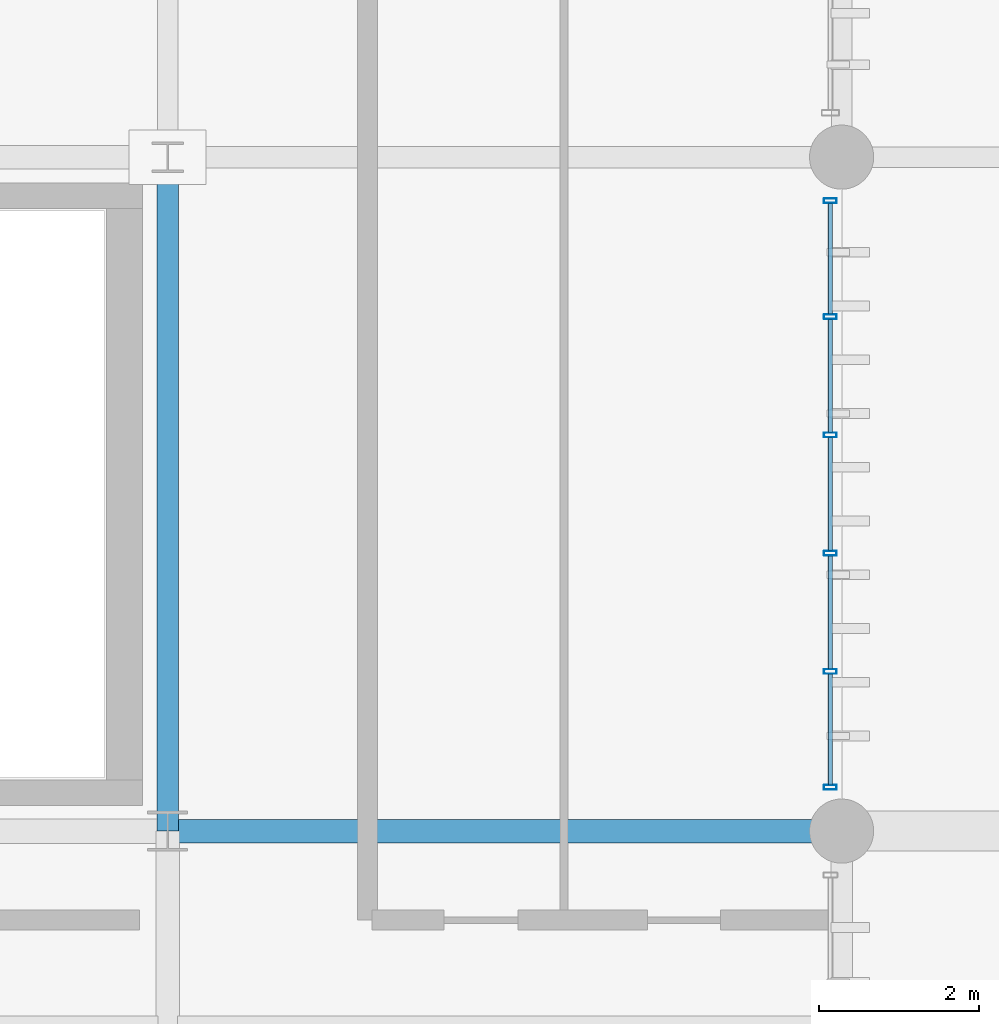
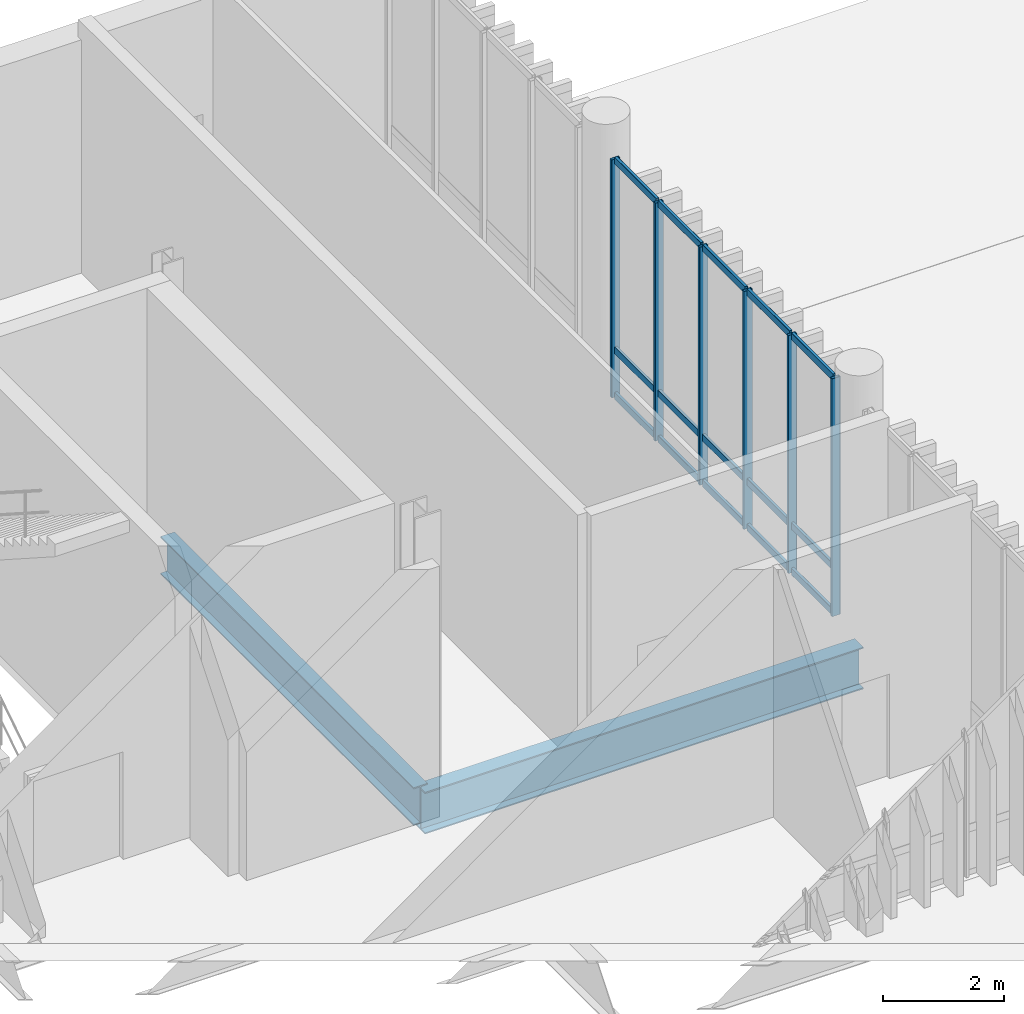
# One storey, part 49 of 112: 21 members, 2 beams, 1 element without a shape of its own.
"""IFC4 building model written with IfcOpenShell, lengths in metres."""

from ifc_helpers import new_model, si_unit, direction, frame, origin_with_axes, origin_2d_with_axis, place, context, subcontext, project, spatial, hollow_rectangle, i_section, extrude, material, material_profile, profile_set, type_object, element, aggregate, save


model = new_model("IFC4")

# Units and contexts
model_context = context("Model", 3, precision=1e-05, world=origin_with_axes(), true_north=direction((0.0, 1.0)))
body_context = subcontext(model_context, "Body", "Model", "MODEL_VIEW")
ifc_project = project(units=[si_unit("LENGTHUNIT", "METRE"), si_unit("AREAUNIT", "SQUARE_METRE"), si_unit("VOLUMEUNIT", "CUBIC_METRE"), si_unit("PLANEANGLEUNIT", "RADIAN"), si_unit("MASSUNIT", "GRAM", prefix="KILO"), si_unit("THERMODYNAMICTEMPERATUREUNIT", "KELVIN")], contexts=[model_context])

# Site, building, storey
site_placement = place(None, origin_with_axes())
site = spatial("IfcSite", under=ifc_project, at=site_placement, CompositionType="ELEMENT")
building_placement = place(site_placement, origin_with_axes())
building = spatial("IfcBuilding", under=site, at=building_placement, Name="Montbau Bow Law Courts", CompositionType="ELEMENT")
storey_placement = place(building_placement, origin_with_axes())
storey = spatial("IfcBuildingStorey", under=building, at=storey_placement, Name="L00", CompositionType="ELEMENT", Elevation=0.0)

# Beams
ifc_material_1 = material(Name="Steel CSA G40.21 Grade 350W (350 MPa)", Category="steel")
ifc_material_profile_1 = material_profile(ifc_material_1, i_section(OverallWidth=0.293, OverallDepth=0.846, WebThickness=0.0154, FlangeThickness=0.0244, at=origin_2d_with_axis()), Name="W840X210", Category="Main", Priority=0)
ifc_profile_set_1 = profile_set([ifc_material_profile_1], Name="Steel CSA G40.21 Grade 350W (350 MPa)")
beam_type_1 = type_object("IfcBeamType", Name="B-FLR-02", PredefinedType="BEAM", material=ifc_profile_set_1)
beam_1_placement = place(None, frame((88.8, 46.2, -0.713), z_axis=(1.0, 0.0, 0.0), x_axis=(0.0, 1.0, 0.0)))
element("IfcBeam", 1, at=beam_1_placement, inside=storey, type_object=beam_type_1, Name="BM-L00-S0207:bm2_0210", PredefinedType="BEAM", context=body_context, shape_type="SweptSolid", body=[
    extrude(i_section(OverallWidth=0.293, OverallDepth=0.846, WebThickness=0.0154, FlangeThickness=0.0244, at=origin_2d_with_axis()), origin_with_axes(), (0.0, 0.0, 1.0), 8.4),
])
ifc_material_profile_2 = material_profile(ifc_material_1, i_section(OverallWidth=0.267, OverallDepth=0.766, WebThickness=0.0149, FlangeThickness=0.0236, at=origin_2d_with_axis()), Name="W760X185", Category="Main", Priority=0)
ifc_profile_set_2 = profile_set([ifc_material_profile_2], Name="Steel CSA G40.21 Grade 350W (350 MPa)")
beam_type_2 = type_object("IfcBeamType", Name="B-FLR-03", PredefinedType="BEAM", material=ifc_profile_set_2)
beam_2_placement = place(None, frame((88.8, 46.2, -0.623), z_axis=(0.0, 1.0, 0.0), x_axis=(-1.0, 0.0, 0.0)))
element("IfcBeam", 2, at=beam_2_placement, inside=storey, type_object=beam_type_2, Name="BM-L00-S0305:bm2_0308", PredefinedType="BEAM", context=body_context, shape_type="SweptSolid", body=[
    extrude(i_section(OverallWidth=0.267, OverallDepth=0.766, WebThickness=0.0149, FlangeThickness=0.0236, at=origin_2d_with_axis()), origin_with_axes(), (0.0, 0.0, 1.0), 8.4),
])

# Curtain wall, members
ifc_material_2 = material(Name="Thermally Broken Extruded Aluminium AA 6063-T6", Category="aluminium")
curtain_wall_type = type_object("IfcCurtainWallType", Name="CW-CRM-01", PredefinedType="NOTDEFINED", material=ifc_material_2)
curtain_wall_placement = place(None, frame((97.06, 46.715, 0.0), z_axis=(0.0, 0.0, 1.0), x_axis=(1.0, 0.0, 0.0)))
curtain_wall = element("IfcCurtainWall", 3, at=curtain_wall_placement, inside=storey, type_object=curtain_wall_type, Name="CW-L00-137:cw_0137", PredefinedType="NOTDEFINED")
ifc_material_profile_3 = material_profile(ifc_material_2, hollow_rectangle(XDim=0.06, YDim=0.16, WallThickness=0.004, InnerFilletRadius=0.008, OuterFilletRadius=0.004, at=origin_2d_with_axis()), Name="CWM-160X60", Category="Main", Priority=0)
ifc_profile_set_3 = profile_set([ifc_material_profile_3], Name="Thermally Broken Extruded Aluminium AA 6063-T6")
member_type_1 = type_object("IfcMemberType", Name="M-MUL-03", PredefinedType="MULLION", material=ifc_profile_set_3)
member_1_placement = place(None, frame((97.06, 46.745, 0.0), z_axis=(0.0, 0.0, 1.0), x_axis=(0.0, 1.0, 0.0)))
member_1 = element("IfcMember", 4, at=member_1_placement, type_object=member_type_1, Name="CW-L00-137-M01:cw_0137_M01", PredefinedType="MULLION", context=body_context, shape_type="SweptSolid", body=[
    extrude(hollow_rectangle(XDim=0.06, YDim=0.16, WallThickness=0.004, InnerFilletRadius=0.008, OuterFilletRadius=0.004, at=origin_2d_with_axis()), origin_with_axes(), (0.0, 0.0, 1.0), 4.82),
])
member_2_placement = place(None, frame((97.06, 48.189, 0.0), z_axis=(0.0, 0.0, 1.0), x_axis=(0.0, 1.0, 0.0)))
member_2 = element("IfcMember", 5, at=member_2_placement, type_object=member_type_1, Name="CW-L00-137-M02:cw_0137_M02", PredefinedType="MULLION", context=body_context, shape_type="SweptSolid", body=[
    extrude(hollow_rectangle(XDim=0.06, YDim=0.16, WallThickness=0.004, InnerFilletRadius=0.008, OuterFilletRadius=0.004, at=origin_2d_with_axis()), origin_with_axes(), (0.0, 0.0, 1.0), 4.82),
])
member_3_placement = place(None, frame((97.06, 49.663, 0.0), z_axis=(0.0, 0.0, 1.0), x_axis=(0.0, 1.0, 0.0)))
member_3 = element("IfcMember", 6, at=member_3_placement, type_object=member_type_1, Name="CW-L00-137-M03:cw_0137_M03", PredefinedType="MULLION", context=body_context, shape_type="SweptSolid", body=[
    extrude(hollow_rectangle(XDim=0.06, YDim=0.16, WallThickness=0.004, InnerFilletRadius=0.008, OuterFilletRadius=0.004, at=origin_2d_with_axis()), origin_with_axes(), (0.0, 0.0, 1.0), 4.82),
])
member_4_placement = place(None, frame((97.06, 51.137, 0.0), z_axis=(0.0, 0.0, 1.0), x_axis=(0.0, 1.0, 0.0)))
member_4 = element("IfcMember", 7, at=member_4_placement, type_object=member_type_1, Name="CW-L00-137-M04:cw_0137_M04", PredefinedType="MULLION", context=body_context, shape_type="SweptSolid", body=[
    extrude(hollow_rectangle(XDim=0.06, YDim=0.16, WallThickness=0.004, InnerFilletRadius=0.008, OuterFilletRadius=0.004, at=origin_2d_with_axis()), origin_with_axes(), (0.0, 0.0, 1.0), 4.82),
])
member_5_placement = place(None, frame((97.06, 52.611, 0.0), z_axis=(0.0, 0.0, 1.0), x_axis=(0.0, 1.0, 0.0)))
member_5 = element("IfcMember", 8, at=member_5_placement, type_object=member_type_1, Name="CW-L00-137-M05:cw_0137_M05", PredefinedType="MULLION", context=body_context, shape_type="SweptSolid", body=[
    extrude(hollow_rectangle(XDim=0.06, YDim=0.16, WallThickness=0.004, InnerFilletRadius=0.008, OuterFilletRadius=0.004, at=origin_2d_with_axis()), origin_with_axes(), (0.0, 0.0, 1.0), 4.82),
])
member_6_placement = place(None, frame((97.06, 54.055, 0.0), z_axis=(0.0, 0.0, 1.0), x_axis=(0.0, 1.0, 0.0)))
member_6 = element("IfcMember", 9, at=member_6_placement, type_object=member_type_1, Name="CW-L00-137-M06:cw_0137_M06", PredefinedType="MULLION", context=body_context, shape_type="SweptSolid", body=[
    extrude(hollow_rectangle(XDim=0.06, YDim=0.16, WallThickness=0.004, InnerFilletRadius=0.008, OuterFilletRadius=0.004, at=origin_2d_with_axis()), origin_with_axes(), (0.0, 0.0, 1.0), 4.82),
])
ifc_material_profile_4 = material_profile(ifc_material_2, hollow_rectangle(XDim=0.055, YDim=0.14, WallThickness=0.004, InnerFilletRadius=0.008, OuterFilletRadius=0.004, at=origin_2d_with_axis()), Name="CWT-140X55", Category="Main", Priority=0)
ifc_profile_set_4 = profile_set([ifc_material_profile_4], Name="Thermally Broken Extruded Aluminium AA 6063-T6")
member_type_2 = type_object("IfcMemberType", Name="M-TRN-02", PredefinedType="USERDEFINED", material=ifc_profile_set_4)
member_7_placement = place(None, frame((97.06, 46.777, 0.028), z_axis=(0.0, 1.0, 0.0), x_axis=(-1.0, 0.0, 0.0)))
member_7 = element("IfcMember", 10, at=member_7_placement, type_object=member_type_2, Name="CW-L00-137-T01-1:cw_0137_T01_1", ObjectType="TRANSOM", PredefinedType="USERDEFINED", context=body_context, shape_type="SweptSolid", body=[
    extrude(hollow_rectangle(XDim=0.055, YDim=0.14, WallThickness=0.004, InnerFilletRadius=0.008, OuterFilletRadius=0.004, at=origin_2d_with_axis()), origin_with_axes(), (0.0, 0.0, 1.0), 1.38),
])
member_8_placement = place(None, frame((97.06, 46.777, 0.95), z_axis=(0.0, 1.0, 0.0), x_axis=(-1.0, 0.0, 0.0)))
member_8 = element("IfcMember", 11, at=member_8_placement, type_object=member_type_2, Name="CW-L00-137-T01-2:cw_0137_T01_2", ObjectType="TRANSOM", PredefinedType="USERDEFINED", context=body_context, shape_type="SweptSolid", body=[
    extrude(hollow_rectangle(XDim=0.055, YDim=0.14, WallThickness=0.004, InnerFilletRadius=0.008, OuterFilletRadius=0.004, at=origin_2d_with_axis()), origin_with_axes(), (0.0, 0.0, 1.0), 1.38),
])
member_9_placement = place(None, frame((97.06, 46.777, 4.793), z_axis=(0.0, 1.0, 0.0), x_axis=(-1.0, 0.0, 0.0)))
member_9 = element("IfcMember", 12, at=member_9_placement, type_object=member_type_2, Name="CW-L00-137-T01-3:cw_0137_T01_3", ObjectType="TRANSOM", PredefinedType="USERDEFINED", context=body_context, shape_type="SweptSolid", body=[
    extrude(hollow_rectangle(XDim=0.055, YDim=0.14, WallThickness=0.004, InnerFilletRadius=0.008, OuterFilletRadius=0.004, at=origin_2d_with_axis()), origin_with_axes(), (0.0, 0.0, 1.0), 1.38),
])
member_10_placement = place(None, frame((97.06, 48.221, 0.028), z_axis=(0.0, 1.0, 0.0), x_axis=(-1.0, 0.0, 0.0)))
member_10 = element("IfcMember", 13, at=member_10_placement, type_object=member_type_2, Name="CW-L00-137-T02-1:cw_0137_T02_1", ObjectType="TRANSOM", PredefinedType="USERDEFINED", context=body_context, shape_type="SweptSolid", body=[
    extrude(hollow_rectangle(XDim=0.055, YDim=0.14, WallThickness=0.004, InnerFilletRadius=0.008, OuterFilletRadius=0.004, at=origin_2d_with_axis()), origin_with_axes(), (0.0, 0.0, 1.0), 1.41),
])
member_11_placement = place(None, frame((97.06, 48.221, 0.95), z_axis=(0.0, 1.0, 0.0), x_axis=(-1.0, 0.0, 0.0)))
member_11 = element("IfcMember", 14, at=member_11_placement, type_object=member_type_2, Name="CW-L00-137-T02-2:cw_0137_T02_2", ObjectType="TRANSOM", PredefinedType="USERDEFINED", context=body_context, shape_type="SweptSolid", body=[
    extrude(hollow_rectangle(XDim=0.055, YDim=0.14, WallThickness=0.004, InnerFilletRadius=0.008, OuterFilletRadius=0.004, at=origin_2d_with_axis()), origin_with_axes(), (0.0, 0.0, 1.0), 1.41),
])
member_12_placement = place(None, frame((97.06, 48.221, 4.793), z_axis=(0.0, 1.0, 0.0), x_axis=(-1.0, 0.0, 0.0)))
member_12 = element("IfcMember", 15, at=member_12_placement, type_object=member_type_2, Name="CW-L00-137-T02-3:cw_0137_T02_3", ObjectType="TRANSOM", PredefinedType="USERDEFINED", context=body_context, shape_type="SweptSolid", body=[
    extrude(hollow_rectangle(XDim=0.055, YDim=0.14, WallThickness=0.004, InnerFilletRadius=0.008, OuterFilletRadius=0.004, at=origin_2d_with_axis()), origin_with_axes(), (0.0, 0.0, 1.0), 1.41),
])
member_13_placement = place(None, frame((97.06, 49.695, 0.028), z_axis=(0.0, 1.0, 0.0), x_axis=(-1.0, 0.0, 0.0)))
member_13 = element("IfcMember", 16, at=member_13_placement, type_object=member_type_2, Name="CW-L00-137-T03-1:cw_0137_T03_1", ObjectType="TRANSOM", PredefinedType="USERDEFINED", context=body_context, shape_type="SweptSolid", body=[
    extrude(hollow_rectangle(XDim=0.055, YDim=0.14, WallThickness=0.004, InnerFilletRadius=0.008, OuterFilletRadius=0.004, at=origin_2d_with_axis()), origin_with_axes(), (0.0, 0.0, 1.0), 1.41),
])
member_14_placement = place(None, frame((97.06, 49.695, 0.95), z_axis=(0.0, 1.0, 0.0), x_axis=(-1.0, 0.0, 0.0)))
member_14 = element("IfcMember", 17, at=member_14_placement, type_object=member_type_2, Name="CW-L00-137-T03-2:cw_0137_T03_2", ObjectType="TRANSOM", PredefinedType="USERDEFINED", context=body_context, shape_type="SweptSolid", body=[
    extrude(hollow_rectangle(XDim=0.055, YDim=0.14, WallThickness=0.004, InnerFilletRadius=0.008, OuterFilletRadius=0.004, at=origin_2d_with_axis()), origin_with_axes(), (0.0, 0.0, 1.0), 1.41),
])
member_15_placement = place(None, frame((97.06, 49.695, 4.793), z_axis=(0.0, 1.0, 0.0), x_axis=(-1.0, 0.0, 0.0)))
member_15 = element("IfcMember", 18, at=member_15_placement, type_object=member_type_2, Name="CW-L00-137-T03-3:cw_0137_T03_3", ObjectType="TRANSOM", PredefinedType="USERDEFINED", context=body_context, shape_type="SweptSolid", body=[
    extrude(hollow_rectangle(XDim=0.055, YDim=0.14, WallThickness=0.004, InnerFilletRadius=0.008, OuterFilletRadius=0.004, at=origin_2d_with_axis()), origin_with_axes(), (0.0, 0.0, 1.0), 1.41),
])
member_16_placement = place(None, frame((97.06, 51.169, 0.028), z_axis=(0.0, 1.0, 0.0), x_axis=(-1.0, 0.0, 0.0)))
member_16 = element("IfcMember", 19, at=member_16_placement, type_object=member_type_2, Name="CW-L00-137-T04-1:cw_0137_T04_1", ObjectType="TRANSOM", PredefinedType="USERDEFINED", context=body_context, shape_type="SweptSolid", body=[
    extrude(hollow_rectangle(XDim=0.055, YDim=0.14, WallThickness=0.004, InnerFilletRadius=0.008, OuterFilletRadius=0.004, at=origin_2d_with_axis()), origin_with_axes(), (0.0, 0.0, 1.0), 1.41),
])
member_17_placement = place(None, frame((97.06, 51.169, 0.95), z_axis=(0.0, 1.0, 0.0), x_axis=(-1.0, 0.0, 0.0)))
member_17 = element("IfcMember", 20, at=member_17_placement, type_object=member_type_2, Name="CW-L00-137-T04-2:cw_0137_T04_2", ObjectType="TRANSOM", PredefinedType="USERDEFINED", context=body_context, shape_type="SweptSolid", body=[
    extrude(hollow_rectangle(XDim=0.055, YDim=0.14, WallThickness=0.004, InnerFilletRadius=0.008, OuterFilletRadius=0.004, at=origin_2d_with_axis()), origin_with_axes(), (0.0, 0.0, 1.0), 1.41),
])
member_18_placement = place(None, frame((97.06, 51.169, 4.793), z_axis=(0.0, 1.0, 0.0), x_axis=(-1.0, 0.0, 0.0)))
member_18 = element("IfcMember", 21, at=member_18_placement, type_object=member_type_2, Name="CW-L00-137-T04-3:cw_0137_T04_3", ObjectType="TRANSOM", PredefinedType="USERDEFINED", context=body_context, shape_type="SweptSolid", body=[
    extrude(hollow_rectangle(XDim=0.055, YDim=0.14, WallThickness=0.004, InnerFilletRadius=0.008, OuterFilletRadius=0.004, at=origin_2d_with_axis()), origin_with_axes(), (0.0, 0.0, 1.0), 1.41),
])
member_19_placement = place(None, frame((97.06, 52.643, 0.028), z_axis=(0.0, 1.0, 0.0), x_axis=(-1.0, 0.0, 0.0)))
member_19 = element("IfcMember", 22, at=member_19_placement, type_object=member_type_2, Name="CW-L00-137-T05-1:cw_0137_T05_1", ObjectType="TRANSOM", PredefinedType="USERDEFINED", context=body_context, shape_type="SweptSolid", body=[
    extrude(hollow_rectangle(XDim=0.055, YDim=0.14, WallThickness=0.004, InnerFilletRadius=0.008, OuterFilletRadius=0.004, at=origin_2d_with_axis()), origin_with_axes(), (0.0, 0.0, 1.0), 1.38),
])
member_20_placement = place(None, frame((97.06, 52.643, 0.95), z_axis=(0.0, 1.0, 0.0), x_axis=(-1.0, 0.0, 0.0)))
member_20 = element("IfcMember", 23, at=member_20_placement, type_object=member_type_2, Name="CW-L00-137-T05-2:cw_0137_T05_2", ObjectType="TRANSOM", PredefinedType="USERDEFINED", context=body_context, shape_type="SweptSolid", body=[
    extrude(hollow_rectangle(XDim=0.055, YDim=0.14, WallThickness=0.004, InnerFilletRadius=0.008, OuterFilletRadius=0.004, at=origin_2d_with_axis()), origin_with_axes(), (0.0, 0.0, 1.0), 1.38),
])
member_21_placement = place(None, frame((97.06, 52.643, 4.793), z_axis=(0.0, 1.0, 0.0), x_axis=(-1.0, 0.0, 0.0)))
member_21 = element("IfcMember", 24, at=member_21_placement, type_object=member_type_2, Name="CW-L00-137-T05-3:cw_0137_T05_3", ObjectType="TRANSOM", PredefinedType="USERDEFINED", context=body_context, shape_type="SweptSolid", body=[
    extrude(hollow_rectangle(XDim=0.055, YDim=0.14, WallThickness=0.004, InnerFilletRadius=0.008, OuterFilletRadius=0.004, at=origin_2d_with_axis()), origin_with_axes(), (0.0, 0.0, 1.0), 1.38),
])
aggregate(curtain_wall, [member_1, member_2, member_3, member_4, member_5, member_6, member_7, member_8, member_9, member_10, member_11, member_12, member_13, member_14, member_15, member_16, member_17, member_18, member_19, member_20, member_21])

save(model, "model.ifc")
